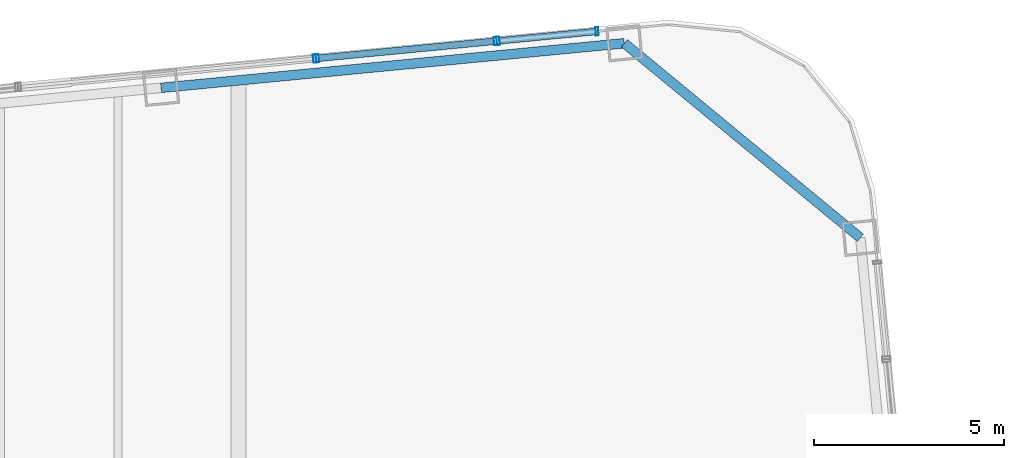
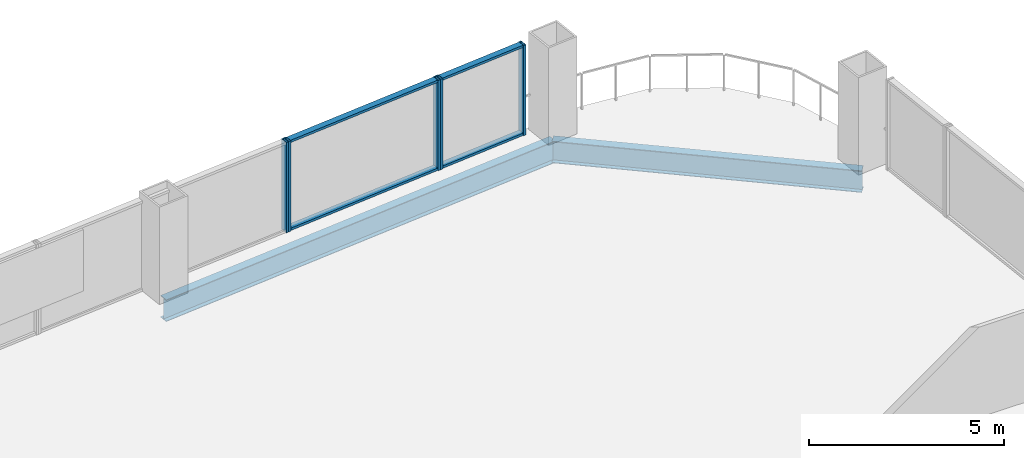
# One storey, part 20 of 27: 9 members, 2 beams, 3 elements without a shape of their own.
"""IFC4 building model written with IfcOpenShell, lengths in metres."""

from ifc_helpers import new_model, si_unit, direction, frame, origin, origin_2d, place, context, subcontext, project, spatial, hollow_rectangle, i_section, extrude, material, layer, layer_set, material_profile, profile_set, type_object, element, aggregate, save


model = new_model("IFC4")

# Units and contexts
model_context = context("Model", 3, precision=1e-05, world=origin(), true_north=direction((0.0, 1.0)))
body_context = subcontext(model_context, "Body", "Model", "MODEL_VIEW")
ifc_project = project(units=[si_unit("LENGTHUNIT", "METRE"), si_unit("AREAUNIT", "SQUARE_METRE"), si_unit("VOLUMEUNIT", "CUBIC_METRE"), si_unit("PLANEANGLEUNIT", "RADIAN"), si_unit("MASSUNIT", "GRAM", prefix="KILO")], contexts=[model_context])

# Site, building, storey
site_placement = place(None, origin())
site = spatial("IfcSite", under=ifc_project, at=site_placement, CompositionType="ELEMENT")
building_placement = place(site_placement, origin())
building = spatial("IfcBuilding", under=site, at=building_placement, Name="Qhalaya Broadcast Tower", CompositionType="ELEMENT")
storey_placement = place(building_placement, frame((0.0, 0.0, 75.550048828125)))
storey = spatial("IfcBuildingStorey", under=building, at=storey_placement, Name="L21", CompositionType="ELEMENT", Elevation=75.550048828125)

# Beams
ifc_material_1 = material(Name="Structural Steel ASTM A992 Grade 50", Category="steel")
ifc_material_profile_1 = material_profile(ifc_material_1, i_section(OverallWidth=0.25390625, OverallDepth=0.68310546875, WebThickness=0.012451171875, FlangeThickness=0.01904296875, at=origin_2d()), Name="W27X94")
ifc_profile_set_1 = profile_set([ifc_material_profile_1], Name="Structural Steel ASTM A992 Grade 50")
beam_type = type_object("IfcBeamType", Name="Perimeter Ring Spandrel Beam SP1", PredefinedType="SPANDREL", material=ifc_profile_set_1)
beam_1_placement = place(storey_placement, frame((25.765380859375, 24.165283203125, -0.5615234375), z_axis=(-0.771633771695, 0.636067073806, 0.0), x_axis=(-0.636067073806, -0.771633771695, 0.0)))
element("IfcBeam", 1, at=beam_1_placement, inside=storey, type_object=beam_type, Name="L21 SP1 L21-SPR-08", PredefinedType="SPANDREL", context=body_context, shape_type="SweptSolid", body=[
    extrude(i_section(OverallWidth=0.25390625, OverallDepth=0.68310546875, WebThickness=0.012451171875, FlangeThickness=0.01904296875, at=origin_2d()), origin(), (0.0, 0.0, 1.0), 8.060791015625),
])
beam_2_placement = place(storey_placement, frame((19.54541015625, 29.29248046875, -0.5615234375), z_axis=(-0.995397535354, -0.095831866369, 0.0), x_axis=(0.095831866369, -0.995397535354, 0.0)))
element("IfcBeam", 2, at=beam_2_placement, inside=storey, type_object=beam_type, Name="L21 SP1 L21-SPR-09", PredefinedType="SPANDREL", context=body_context, shape_type="SweptSolid", body=[
    extrude(i_section(OverallWidth=0.25390625, OverallDepth=0.68310546875, WebThickness=0.012451171875, FlangeThickness=0.01904296875, at=origin_2d()), origin(), (0.0, 0.0, 1.0), 12.2666015625),
])

# Curtain wall, members
ifc_material_2 = material(Name="Fired Architectural Terracotta", Category="masonry")
ifc_layer_1 = layer(ifc_material_2, 0.219970703125, Name="Fired Architectural Terracotta")
ifc_layer_set_1 = layer_set([ifc_layer_1], Name="Fired Architectural Terracotta")
curtain_wall_type_1 = type_object("IfcCurtainWallType", Name="Block-Cap Unitised Terracotta Spandrel Wall CW-07", PredefinedType="NOTDEFINED", material=ifc_layer_set_1)
curtain_wall_1_placement = place(storey_placement, origin())
curtain_wall_1 = element("IfcCurtainWall", 3, at=curtain_wall_1_placement, inside=storey, type_object=curtain_wall_type_1, Name="L21 Unitised Curtain Wall L21-CW-N1", PredefinedType="NOTDEFINED")
ifc_material_3 = material(Name="Anodised Aluminium 6063-T6", Category="aluminium")
ifc_material_profile_2 = material_profile(ifc_material_3, hollow_rectangle(XDim=0.074951171875, YDim=0.219970703125, WallThickness=0.00390625, at=origin_2d()), Name="ALU-MUL 75x220x4")
ifc_profile_set_2 = profile_set([ifc_material_profile_2], Name="Anodised Aluminium 6063-T6")
member_type_1 = type_object("IfcMemberType", Name="Unitised Curtain-Wall Mullion M01", PredefinedType="MULLION", material=ifc_profile_set_2)
member_1_placement = place(storey_placement, frame((18.82470703125, 29.60498046875, 0.0), z_axis=(0.0, 0.0, 1.0), x_axis=(-0.995397033761, -0.095837076227, 0.0)))
member_1 = element("IfcMember", 4, at=member_1_placement, type_object=member_type_1, Name="CW-07 mullion 1", PredefinedType="MULLION", context=body_context, shape_type="SweptSolid", body=[
    extrude(hollow_rectangle(XDim=0.074951171875, YDim=0.219970703125, WallThickness=0.00390625, at=origin_2d()), origin(), (0.0, 0.0, 1.0), 2.829833984375),
])
member_2_placement = place(storey_placement, frame((16.2216796875, 29.3544921875, 0.0), z_axis=(0.0, 0.0, 1.0), x_axis=(-0.995397033761, -0.095837076227, 0.0)))
member_2 = element("IfcMember", 5, at=member_2_placement, type_object=member_type_1, Name="CW-07 mullion 2", PredefinedType="MULLION", context=body_context, shape_type="SweptSolid", body=[
    extrude(hollow_rectangle(XDim=0.074951171875, YDim=0.219970703125, WallThickness=0.00390625, at=origin_2d()), origin(), (0.0, 0.0, 1.0), 2.829833984375),
])

ifc_material_4 = material(Name="Solar-Control Low-E Triple Glazing", Category="glass")
ifc_layer_2 = layer(ifc_material_4, 0.219970703125, Name="Solar-Control Low-E Triple Glazing")
ifc_layer_set_2 = layer_set([ifc_layer_2], Name="Solar-Control Low-E Triple Glazing")
curtain_wall_type_2 = type_object("IfcCurtainWallType", Name="Even-Block 4-Storey Double-Module Curtain Wall CW-03", PredefinedType="NOTDEFINED", material=ifc_layer_set_2)
curtain_wall_2_placement = place(storey_placement, origin())
curtain_wall_2 = element("IfcCurtainWall", 6, at=curtain_wall_2_placement, inside=storey, type_object=curtain_wall_type_2, Name="L21 Unitised Curtain Wall L21-CW-N2", PredefinedType="NOTDEFINED")
member_3_placement = place(storey_placement, frame((16.14697265625, 29.34716796875, 0.0), z_axis=(0.0, 0.0, 1.0), x_axis=(-0.995394623965, -0.095862101904, 0.0)))
member_3 = element("IfcMember", 7, at=member_3_placement, type_object=member_type_1, Name="CW-03 mullion 1", PredefinedType="MULLION", context=body_context, shape_type="SweptSolid", body=[
    extrude(hollow_rectangle(XDim=0.074951171875, YDim=0.219970703125, WallThickness=0.00390625, at=origin_2d()), origin(), (0.0, 0.0, 1.0), 2.829833984375),
])
member_4_placement = place(storey_placement, frame((11.457763671875, 28.8955078125, 0.0), z_axis=(0.0, 0.0, 1.0), x_axis=(-0.995394623965, -0.095862101904, 0.0)))
member_4 = element("IfcMember", 8, at=member_4_placement, type_object=member_type_1, Name="CW-03 mullion 2", PredefinedType="MULLION", context=body_context, shape_type="SweptSolid", body=[
    extrude(hollow_rectangle(XDim=0.074951171875, YDim=0.219970703125, WallThickness=0.00390625, at=origin_2d()), origin(), (0.0, 0.0, 1.0), 2.829833984375),
])

# Curtain wall, member
curtain_wall_3_placement = place(storey_placement, origin())
curtain_wall_3 = element("IfcCurtainWall", 9, at=curtain_wall_3_placement, inside=storey, type_object=curtain_wall_type_1, Name="L21 Unitised Curtain Wall L21-CW-N3", PredefinedType="NOTDEFINED")
member_5_placement = place(storey_placement, frame((11.383056640625, 28.888427734375, 0.0), z_axis=(0.0, 0.0, 1.0), x_axis=(-0.995396908899, -0.095838373083, 0.0)))
member_5 = element("IfcMember", 10, at=member_5_placement, type_object=member_type_1, Name="CW-07 mullion 1", PredefinedType="MULLION", context=body_context, shape_type="SweptSolid", body=[
    extrude(hollow_rectangle(XDim=0.074951171875, YDim=0.219970703125, WallThickness=0.00390625, at=origin_2d()), origin(), (0.0, 0.0, 1.0), 2.829833984375),
])
aggregate(curtain_wall_3, [member_5])

# Member
ifc_material_profile_3 = material_profile(ifc_material_3, hollow_rectangle(XDim=0.074951171875, YDim=0.179931640625, WallThickness=0.00390625, at=origin_2d()), Name="ALU-TRN 75x180x4")
ifc_profile_set_3 = profile_set([ifc_material_profile_3], Name="Anodised Aluminium 6063-T6")
member_type_2 = type_object("IfcMemberType", Name="Unitised Curtain-Wall Transom T01", PredefinedType="USERDEFINED", material=ifc_profile_set_3)
member_6_placement = place(storey_placement, frame((18.787353515625, 29.601318359375, 0.037353515625), z_axis=(-0.995397751495, -0.095829621306, 0.0), x_axis=(0.0, 0.0, 1.0)))
member_6 = element("IfcMember", 11, at=member_6_placement, type_object=member_type_2, Name="CW-07 transom 1.1", ObjectType="TRANSOM", PredefinedType="USERDEFINED", context=body_context, shape_type="SweptSolid", body=[
    extrude(hollow_rectangle(XDim=0.074951171875, YDim=0.179931640625, WallThickness=0.00390625, at=origin_2d()), origin(), (0.0, 0.0, 1.0), 2.5400390625),
])

member_7_placement = place(storey_placement, frame((18.787353515625, 29.601318359375, 2.79248046875), z_axis=(-0.995397751495, -0.095829621306, 0.0), x_axis=(0.0, 0.0, 1.0)))
member_7 = element("IfcMember", 12, at=member_7_placement, type_object=member_type_2, Name="CW-07 transom 1.2", ObjectType="TRANSOM", PredefinedType="USERDEFINED", context=body_context, shape_type="SweptSolid", body=[
    extrude(hollow_rectangle(XDim=0.074951171875, YDim=0.179931640625, WallThickness=0.00390625, at=origin_2d()), origin(), (0.0, 0.0, 1.0), 2.5400390625),
])

aggregate(curtain_wall_1, [member_1, member_2, member_6, member_7])

member_8_placement = place(storey_placement, frame((16.10986328125, 29.343505859375, 0.037353515625), z_axis=(-0.995396477647, -0.095842852043, 0.0), x_axis=(0.0, 0.0, 1.0)))
member_8 = element("IfcMember", 13, at=member_8_placement, type_object=member_type_2, Name="CW-03 transom 1.1", ObjectType="TRANSOM", PredefinedType="USERDEFINED", context=body_context, shape_type="SweptSolid", body=[
    extrude(hollow_rectangle(XDim=0.074951171875, YDim=0.179931640625, WallThickness=0.00390625, at=origin_2d()), origin(), (0.0, 0.0, 1.0), 4.635986328125),
])

member_9_placement = place(storey_placement, frame((16.10986328125, 29.343505859375, 2.79248046875), z_axis=(-0.995396477647, -0.095842852043, 0.0), x_axis=(0.0, 0.0, 1.0)))
member_9 = element("IfcMember", 14, at=member_9_placement, type_object=member_type_2, Name="CW-03 transom 1.2", ObjectType="TRANSOM", PredefinedType="USERDEFINED", context=body_context, shape_type="SweptSolid", body=[
    extrude(hollow_rectangle(XDim=0.074951171875, YDim=0.179931640625, WallThickness=0.00390625, at=origin_2d()), origin(), (0.0, 0.0, 1.0), 4.635986328125),
])

aggregate(curtain_wall_2, [member_3, member_4, member_8, member_9])

save(model, "model.ifc")
